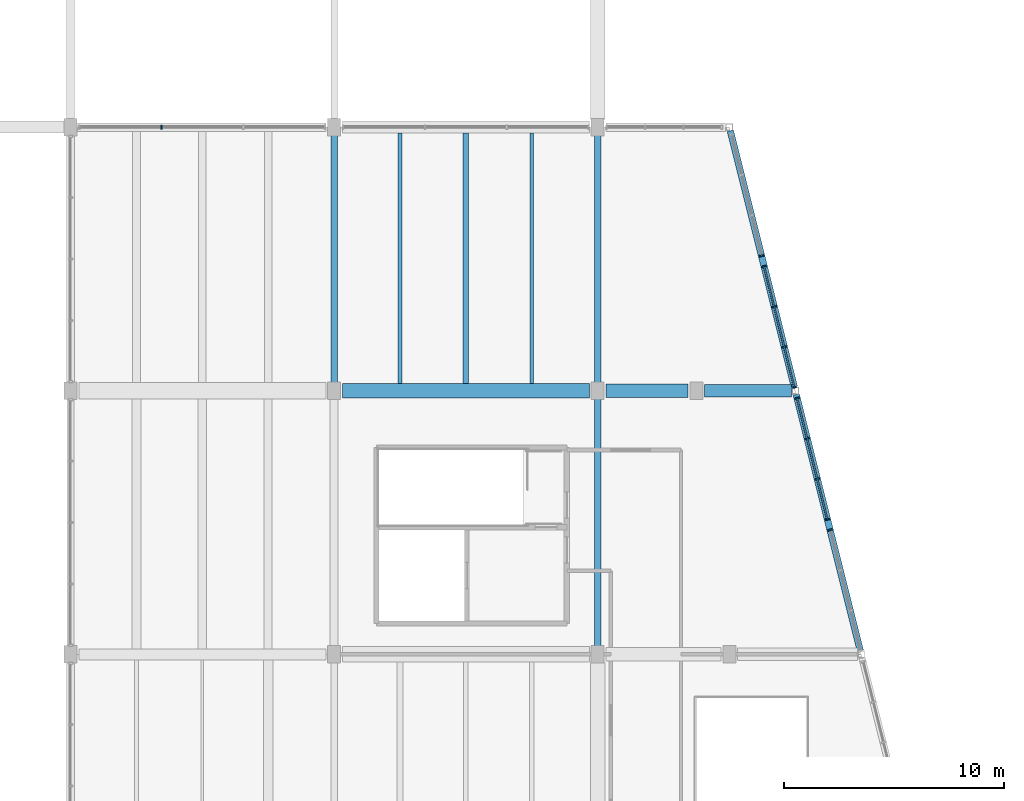
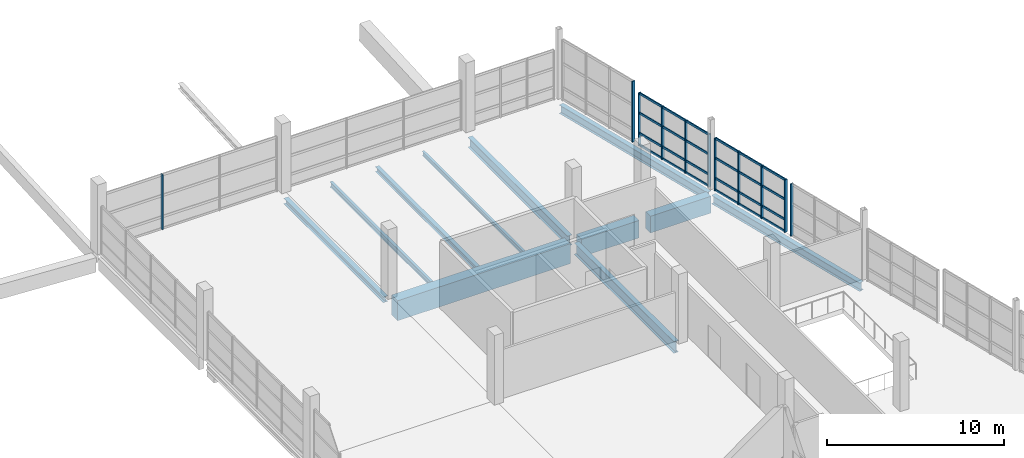
# One storey, part 24 of 49: 19 members, 11 beams, 5 elements without a shape of their own.
"""IFC4 building model written with IfcOpenShell, lengths in metres."""

from ifc_helpers import new_model, si_unit, direction, frame, origin, origin_2d, place, context, subcontext, project, spatial, rectangle, i_section, extrude, material, material_profile, profile_set, type_object, element, aggregate, save


model = new_model("IFC4")

# Units and contexts
model_context = context("Model", 3, precision=1e-05, world=origin(), true_north=direction((0.0, 1.0)))
body_context = subcontext(model_context, "Body", "Model", "MODEL_VIEW")
ifc_project = project(units=[si_unit("LENGTHUNIT", "METRE"), si_unit("AREAUNIT", "SQUARE_METRE"), si_unit("VOLUMEUNIT", "CUBIC_METRE"), si_unit("PLANEANGLEUNIT", "RADIAN"), si_unit("MASSUNIT", "GRAM", prefix="KILO")], contexts=[model_context])

# Site, building, storey
site_placement = place(None, origin())
site = spatial("IfcSite", under=ifc_project, at=site_placement, CompositionType="ELEMENT")
building_placement = place(site_placement, origin())
building = spatial("IfcBuilding", under=site, at=building_placement, Name="Kamomehara Wholesale Market", CompositionType="ELEMENT")
storey_placement = place(building_placement, frame((0.0, 0.0, 11.39990234375)))
storey = spatial("IfcBuildingStorey", under=building, at=storey_placement, Name="L02", CompositionType="ELEMENT", Elevation=11.39990234375)

# Beams
ifc_material_1 = material(Name="Precast concrete Fc45 (C40/50)", Category="concrete")
ifc_material_profile_1 = material_profile(ifc_material_1, rectangle(XDim=0.550048828125, YDim=1.14990234375, at=origin_2d()), Name="PC-GRD-550x1150")
ifc_profile_set_1 = profile_set([ifc_material_profile_1], Name="Precast concrete Fc45 (C40/50)")
beam_type_1 = type_object("IfcBeamType", Name="BM-PG1150", PredefinedType="T_BEAM", material=ifc_profile_set_1)
beam_1_placement = place(storey_placement, frame((184.875, 84.0, -0.927001953125), z_axis=(1.0, 0.0, 0.0), x_axis=(0.0, 1.0, 0.0)))
element("IfcBeam", 1, at=beam_1_placement, inside=storey, type_object=beam_type_1, Name="Beam PG-06 L02", PredefinedType="T_BEAM", context=body_context, shape_type="SweptSolid", body=[
    extrude(rectangle(XDim=0.550048828125, YDim=1.14990234375, at=origin_2d()), origin(), (0.0, 0.0, 1.0), 3.947021484375),
])
ifc_material_2 = material(Name="Precast concrete Fc45 (C40/50)", Category="concrete")
ifc_material_profile_2 = material_profile(ifc_material_2, rectangle(XDim=0.60009765625, YDim=1.199951171875, at=origin_2d()), Name="PC-GRD-600x1200")
ifc_profile_set_2 = profile_set([ifc_material_profile_2], Name="Precast concrete Fc45 (C40/50)")
beam_type_2 = type_object("IfcBeamType", Name="BM-PG1200", PredefinedType="T_BEAM", material=ifc_profile_set_2)
beam_2_placement = place(storey_placement, frame((180.375, 84.0, -0.951904296875), z_axis=(1.0, 0.0, 0.0), x_axis=(0.0, 1.0, 0.0)))
element("IfcBeam", 2, at=beam_2_placement, inside=storey, type_object=beam_type_2, Name="Beam PG-05 L02", PredefinedType="T_BEAM", context=body_context, shape_type="SweptSolid", body=[
    extrude(rectangle(XDim=0.60009765625, YDim=1.199951171875, at=origin_2d()), origin(), (0.0, 0.0, 1.0), 3.75),
])
ifc_material_3 = material(Name="Precast concrete Fc45 (C40/50)", Category="concrete")
ifc_material_profile_3 = material_profile(ifc_material_3, rectangle(XDim=0.679931640625, YDim=1.3798828125, at=origin_2d()), Name="PC-GRD-680x1380")
ifc_profile_set_3 = profile_set([ifc_material_profile_3], Name="Precast concrete Fc45 (C40/50)")
beam_type_3 = type_object("IfcBeamType", Name="BM-PG1380", PredefinedType="T_BEAM", material=ifc_profile_set_3)
beam_3_placement = place(storey_placement, frame((168.375, 84.0, -1.0419921875), z_axis=(1.0, 0.0, 0.0), x_axis=(0.0, 1.0, 0.0)))
element("IfcBeam", 3, at=beam_3_placement, inside=storey, type_object=beam_type_3, Name="Beam PG-12 L02", PredefinedType="T_BEAM", context=body_context, shape_type="SweptSolid", body=[
    extrude(rectangle(XDim=0.679931640625, YDim=1.3798828125, at=origin_2d()), origin(), (0.0, 0.0, 1.0), 11.25),
])
ifc_material_4 = material(Name="Steel SN400B", Category="steel")
ifc_material_profile_4 = material_profile(ifc_material_4, i_section(OverallWidth=0.14990234375, OverallDepth=0.300048828125, WebThickness=0.006591796875, FlangeThickness=0.009033203125, FilletRadius=0.012939453125, at=origin_2d()), Name="H-300x150x6.5x9")
ifc_profile_set_4 = profile_set([ifc_material_profile_4], Name="Steel SN400B")
beam_type_4 = type_object("IfcBeamType", Name="BM-ST-H300", PredefinedType="JOIST", material=ifc_profile_set_4)
beam_4_placement = place(storey_placement, frame((177.0, 84.340087890625, -0.501953125), z_axis=(0.0, 1.0, 0.0), x_axis=(-1.0, 0.0, 0.0)))
element("IfcBeam", 4, at=beam_4_placement, inside=storey, type_object=beam_type_4, Name="Beam SJ-05 L02", PredefinedType="JOIST", context=body_context, shape_type="SweptSolid", body=[
    extrude(i_section(OverallWidth=0.14990234375, OverallDepth=0.300048828125, WebThickness=0.006591796875, FlangeThickness=0.009033203125, FilletRadius=0.012939453125, at=origin_2d()), origin(), (0.0, 0.0, 1.0), 11.385009765625),
])
ifc_material_5 = material(Name="Steel SN490B", Category="steel")
ifc_material_profile_5 = material_profile(ifc_material_5, i_section(OverallWidth=0.25, OverallDepth=0.340087890625, WebThickness=0.009033203125, FlangeThickness=0.013916015625, FilletRadius=0.012939453125, at=origin_2d()), Name="H-340x250x9x14")
ifc_profile_set_5 = profile_set([ifc_material_profile_5], Name="Steel SN490B")
beam_type_5 = type_object("IfcBeamType", Name="BM-ST-H340", PredefinedType="JOIST", material=ifc_profile_set_5)
beam_5_placement = place(storey_placement, frame((174.0, 84.340087890625, -0.52197265625), z_axis=(0.0, 1.0, 0.0), x_axis=(-1.0, 0.0, 0.0)))
element("IfcBeam", 5, at=beam_5_placement, inside=storey, type_object=beam_type_5, Name="Beam SJ-08 L02", PredefinedType="JOIST", context=body_context, shape_type="SweptSolid", body=[
    extrude(i_section(OverallWidth=0.25, OverallDepth=0.340087890625, WebThickness=0.009033203125, FlangeThickness=0.013916015625, FilletRadius=0.012939453125, at=origin_2d()), origin(), (0.0, 0.0, 1.0), 11.385009765625),
])
ifc_material_6 = material(Name="Steel SN400B", Category="steel")
ifc_material_profile_6 = material_profile(ifc_material_6, i_section(OverallWidth=0.175048828125, OverallDepth=0.35009765625, WebThickness=0.007080078125, FlangeThickness=0.010986328125, FilletRadius=0.012939453125, at=origin_2d()), Name="H-350x175x7x11")
ifc_profile_set_6 = profile_set([ifc_material_profile_6], Name="Steel SN400B")
beam_type_6 = type_object("IfcBeamType", Name="BM-ST-H350", PredefinedType="JOIST", material=ifc_profile_set_6)
beam_6_placement = place(storey_placement, frame((171.0, 84.340087890625, -0.52685546875), z_axis=(0.0, 1.0, 0.0), x_axis=(-1.0, 0.0, 0.0)))
element("IfcBeam", 6, at=beam_6_placement, inside=storey, type_object=beam_type_6, Name="Beam SJ-04 L02", PredefinedType="JOIST", context=body_context, shape_type="SweptSolid", body=[
    extrude(i_section(OverallWidth=0.175048828125, OverallDepth=0.35009765625, WebThickness=0.007080078125, FlangeThickness=0.010986328125, FilletRadius=0.012939453125, at=origin_2d()), origin(), (0.0, 0.0, 1.0), 11.385009765625),
])
ifc_material_7 = material(Name="Steel SN490B", Category="steel")
ifc_material_profile_7 = material_profile(ifc_material_7, i_section(OverallWidth=0.300048828125, OverallDepth=0.389892578125, WebThickness=0.010009765625, FlangeThickness=0.01611328125, FilletRadius=0.01806640625, at=origin_2d()), Name="H-390x300x10x16")
ifc_profile_set_7 = profile_set([ifc_material_profile_7], Name="Steel SN490B")
beam_type_7 = type_object("IfcBeamType", Name="BM-ST-H390-EXT", PredefinedType="SPANDREL", material=ifc_profile_set_7)
beam_7_placement = place(storey_placement, frame((168.0, 84.375, -0.546875), z_axis=(0.0, 1.0, 0.0), x_axis=(-1.0, 0.0, 0.0)))
element("IfcBeam", 7, at=beam_7_placement, inside=storey, type_object=beam_type_7, Name="Beam SJ-03E L02", PredefinedType="SPANDREL", context=body_context, shape_type="SweptSolid", body=[
    extrude(i_section(OverallWidth=0.300048828125, OverallDepth=0.389892578125, WebThickness=0.010009765625, FlangeThickness=0.01611328125, FilletRadius=0.01806640625, at=origin_2d()), origin(), (0.0, 0.0, 1.0), 11.25),
])
ifc_material_8 = material(Name="Steel SN490B", Category="steel")
ifc_material_profile_8 = material_profile(ifc_material_8, i_section(OverallWidth=0.300048828125, OverallDepth=0.587890625, WebThickness=0.011962890625, FlangeThickness=0.02001953125, FilletRadius=0.02197265625, at=origin_2d()), Name="H-588x300x12x20")
ifc_profile_set_8 = profile_set([ifc_material_profile_8], Name="Steel SN490B")
beam_type_8 = type_object("IfcBeamType", Name="BM-ST-H588-EXT", PredefinedType="BEAM", material=ifc_profile_set_8)
for number, where, z_axis, x_axis, name in (
    (8, (191.95703125, 72.172119140625, -0.64599609375), (-0.242545187601, 0.970140109454, 0.0), (-0.970140109454, -0.242545187601, 0.0), "Beam SG-06E L02"),
    (9, (188.95703125, 84.172119140625, -0.64599609375), (-0.242545187601, 0.970140109454, 0.0), (-0.970140109454, -0.242545187601, 0.0), "Beam SG-06E L02"),
):
    element("IfcBeam", number, at=place(storey_placement, frame(where, z_axis=z_axis, x_axis=x_axis)), inside=storey, type_object=beam_type_8, Name=name, PredefinedType="BEAM", context=body_context, shape_type="SweptSolid", body=[
        extrude(i_section(OverallWidth=0.300048828125, OverallDepth=0.587890625, WebThickness=0.011962890625, FlangeThickness=0.02001953125, FilletRadius=0.02197265625, at=origin_2d()), origin(), (0.0, 0.0, 1.0), 12.014404296875),
    ])
ifc_material_9 = material(Name="Steel SN490B", Category="steel")
ifc_material_profile_9 = material_profile(ifc_material_9, i_section(OverallWidth=0.300048828125, OverallDepth=0.699951171875, WebThickness=0.012939453125, FlangeThickness=0.02392578125, FilletRadius=0.02197265625, at=origin_2d()), Name="H-700x300x13x24")
ifc_profile_set_9 = profile_set([ifc_material_profile_9], Name="Steel SN490B")
beam_type_9 = type_object("IfcBeamType", Name="BM-ST-H700", PredefinedType="BEAM", material=ifc_profile_set_9)
beam_8_placement = place(storey_placement, frame((180.0, 84.375, -0.701904296875), z_axis=(0.0, 1.0, 0.0), x_axis=(-1.0, 0.0, 0.0)))
element("IfcBeam", 10, at=beam_8_placement, inside=storey, type_object=beam_type_9, Name="Beam SG-03 L02", PredefinedType="BEAM", context=body_context, shape_type="SweptSolid", body=[
    extrude(i_section(OverallWidth=0.300048828125, OverallDepth=0.699951171875, WebThickness=0.012939453125, FlangeThickness=0.02392578125, FilletRadius=0.02197265625, at=origin_2d()), origin(), (0.0, 0.0, 1.0), 11.25),
])
ifc_material_10 = material(Name="Steel SN490B", Category="steel")
ifc_material_profile_10 = material_profile(ifc_material_10, i_section(OverallWidth=0.300048828125, OverallDepth=0.800048828125, WebThickness=0.013916015625, FlangeThickness=0.02587890625, FilletRadius=0.02392578125, at=origin_2d()), Name="H-800x300x14x26")
ifc_profile_set_10 = profile_set([ifc_material_profile_10], Name="Steel SN490B")
beam_type_10 = type_object("IfcBeamType", Name="BM-ST-H800", PredefinedType="BEAM", material=ifc_profile_set_10)
beam_9_placement = place(storey_placement, frame((180.0, 72.375, -0.751953125), z_axis=(0.0, 1.0, 0.0), x_axis=(-1.0, 0.0, 0.0)))
element("IfcBeam", 11, at=beam_9_placement, inside=storey, type_object=beam_type_10, Name="Beam SG-02 L02", PredefinedType="BEAM", context=body_context, shape_type="SweptSolid", body=[
    extrude(i_section(OverallWidth=0.300048828125, OverallDepth=0.800048828125, WebThickness=0.013916015625, FlangeThickness=0.02587890625, FilletRadius=0.02392578125, at=origin_2d()), origin(), (0.0, 0.0, 1.0), 11.25),
])

# Curtain wall, members
ifc_material_11 = material(Name="Anodised aluminium 6063-T5", Category="aluminium")
curtain_wall_type_1 = type_object("IfcCurtainWallType", Name="CW-UN-09", PredefinedType="NOTDEFINED", material=ifc_material_11)
curtain_wall_1_placement = place(storey_placement, origin())
curtain_wall_1 = element("IfcCurtainWall", 12, at=curtain_wall_1_placement, inside=storey, type_object=curtain_wall_type_1, Name="Unitised curtain wall CW-201", PredefinedType="NOTDEFINED")
ifc_material_12 = material(Name="Anodised aluminium 6063-T5", Category="aluminium")
ifc_material_profile_11 = material_profile(ifc_material_12, rectangle(XDim=0.074951171875, YDim=0.179931640625, at=origin_2d()), Name="ALU-MUL-75x180")
ifc_profile_set_11 = profile_set([ifc_material_profile_11], Name="Anodised aluminium 6063-T5")
member_type_1 = type_object("IfcMemberType", Name="CW-MUL-180", PredefinedType="MULLION", material=ifc_profile_set_11)
member_1_placement = place(storey_placement, frame((189.0849609375, 83.659912109375, 0.0), z_axis=(0.0, 0.0, 1.0), x_axis=(0.242617855844, -0.97012193874, 0.0)))
member_1 = element("IfcMember", 13, at=member_1_placement, type_object=member_type_1, Name="Mullion CW-201.0", PredefinedType="MULLION", context=body_context, shape_type="SweptSolid", body=[
    extrude(rectangle(XDim=0.074951171875, YDim=0.179931640625, at=origin_2d()), origin(), (0.0, 0.0, 1.0), 3.630126953125),
])
member_2_placement = place(storey_placement, frame((189.544921875, 81.822021484375, 0.0), z_axis=(0.0, 0.0, 1.0), x_axis=(0.242617855844, -0.97012193874, 0.0)))
member_2 = element("IfcMember", 14, at=member_2_placement, type_object=member_type_1, Name="Mullion CW-201.1", PredefinedType="MULLION", context=body_context, shape_type="SweptSolid", body=[
    extrude(rectangle(XDim=0.074951171875, YDim=0.179931640625, at=origin_2d()), origin(), (0.0, 0.0, 1.0), 3.630126953125),
])
member_3_placement = place(storey_placement, frame((190.00390625, 79.98388671875, 0.0), z_axis=(0.0, 0.0, 1.0), x_axis=(0.242617855844, -0.97012193874, 0.0)))
member_3 = element("IfcMember", 15, at=member_3_placement, type_object=member_type_1, Name="Mullion CW-201.2", PredefinedType="MULLION", context=body_context, shape_type="SweptSolid", body=[
    extrude(rectangle(XDim=0.074951171875, YDim=0.179931640625, at=origin_2d()), origin(), (0.0, 0.0, 1.0), 3.630126953125),
])
member_4_placement = place(storey_placement, frame((190.464111328125, 78.14599609375, 0.0), z_axis=(0.0, 0.0, 1.0), x_axis=(0.242617855844, -0.97012193874, 0.0)))
member_4 = element("IfcMember", 16, at=member_4_placement, type_object=member_type_1, Name="Mullion CW-201.3", PredefinedType="MULLION", context=body_context, shape_type="SweptSolid", body=[
    extrude(rectangle(XDim=0.074951171875, YDim=0.179931640625, at=origin_2d()), origin(), (0.0, 0.0, 1.0), 3.630126953125),
])

# Curtain wall, member
curtain_wall_2_placement = place(storey_placement, origin())
curtain_wall_2 = element("IfcCurtainWall", 17, at=curtain_wall_2_placement, inside=storey, type_object=curtain_wall_type_1, Name="Unitised curtain wall CW-202", PredefinedType="NOTDEFINED")
member_5_placement = place(storey_placement, frame((190.5849609375, 77.659912109375, 0.0), z_axis=(0.0, 0.0, 1.0), x_axis=(0.242494251575, -0.970152842573, 0.0)))
member_5 = element("IfcMember", 18, at=member_5_placement, type_object=member_type_1, Name="Mullion CW-202.0", PredefinedType="MULLION", context=body_context, shape_type="SweptSolid", body=[
    extrude(rectangle(XDim=0.074951171875, YDim=0.179931640625, at=origin_2d()), origin(), (0.0, 0.0, 1.0), 3.60009765625),
])
aggregate(curtain_wall_2, [member_5])

curtain_wall_3_placement = place(storey_placement, origin())
curtain_wall_3 = element("IfcCurtainWall", 19, at=curtain_wall_3_placement, inside=storey, type_object=curtain_wall_type_1, Name="Unitised curtain wall CW-203", PredefinedType="NOTDEFINED")
member_6_placement = place(storey_placement, frame((187.464111328125, 90.14599609375, 0.0), z_axis=(0.0, 0.0, 1.0), x_axis=(0.242617855844, -0.97012193874, 0.0)))
member_6 = element("IfcMember", 20, at=member_6_placement, type_object=member_type_1, Name="Mullion CW-203.3", PredefinedType="MULLION", context=body_context, shape_type="SweptSolid", body=[
    extrude(rectangle(XDim=0.074951171875, YDim=0.179931640625, at=origin_2d()), origin(), (0.0, 0.0, 1.0), 4.192138671875),
])
aggregate(curtain_wall_3, [member_6])

# Curtain wall, members
curtain_wall_4_placement = place(storey_placement, origin())
curtain_wall_4 = element("IfcCurtainWall", 21, at=curtain_wall_4_placement, inside=storey, type_object=curtain_wall_type_1, Name="Unitised curtain wall CW-204", PredefinedType="NOTDEFINED")
member_7_placement = place(storey_placement, frame((187.5849609375, 89.659912109375, 0.0), z_axis=(0.0, 0.0, 1.0), x_axis=(0.242494251575, -0.970152842573, 0.0)))
member_7 = element("IfcMember", 22, at=member_7_placement, type_object=member_type_1, Name="Mullion CW-204.0", PredefinedType="MULLION", context=body_context, shape_type="SweptSolid", body=[
    extrude(rectangle(XDim=0.074951171875, YDim=0.179931640625, at=origin_2d()), origin(), (0.0, 0.0, 1.0), 3.630126953125),
])
member_8_placement = place(storey_placement, frame((188.0439453125, 87.824951171875, 0.0), z_axis=(0.0, 0.0, 1.0), x_axis=(0.242494251575, -0.970152842573, 0.0)))
member_8 = element("IfcMember", 23, at=member_8_placement, type_object=member_type_1, Name="Mullion CW-204.1", PredefinedType="MULLION", context=body_context, shape_type="SweptSolid", body=[
    extrude(rectangle(XDim=0.074951171875, YDim=0.179931640625, at=origin_2d()), origin(), (0.0, 0.0, 1.0), 3.630126953125),
])
member_9_placement = place(storey_placement, frame((188.501953125, 85.989990234375, 0.0), z_axis=(0.0, 0.0, 1.0), x_axis=(0.242494251575, -0.970152842573, 0.0)))
member_9 = element("IfcMember", 24, at=member_9_placement, type_object=member_type_1, Name="Mullion CW-204.2", PredefinedType="MULLION", context=body_context, shape_type="SweptSolid", body=[
    extrude(rectangle(XDim=0.074951171875, YDim=0.179931640625, at=origin_2d()), origin(), (0.0, 0.0, 1.0), 3.630126953125),
])
member_10_placement = place(storey_placement, frame((188.9609375, 84.155029296875, 0.0), z_axis=(0.0, 0.0, 1.0), x_axis=(0.242494251575, -0.970152842573, 0.0)))
member_10 = element("IfcMember", 25, at=member_10_placement, type_object=member_type_1, Name="Mullion CW-204.3", PredefinedType="MULLION", context=body_context, shape_type="SweptSolid", body=[
    extrude(rectangle(XDim=0.074951171875, YDim=0.179931640625, at=origin_2d()), origin(), (0.0, 0.0, 1.0), 3.630126953125),
])

# Curtain wall, member
ifc_material_13 = material(Name="Anodised aluminium 6063-T5", Category="aluminium")
curtain_wall_type_2 = type_object("IfcCurtainWallType", Name="CW-UN-08", PredefinedType="NOTDEFINED", material=ifc_material_13)
curtain_wall_5_placement = place(storey_placement, origin())
curtain_wall_5 = element("IfcCurtainWall", 26, at=curtain_wall_5_placement, inside=storey, type_object=curtain_wall_type_2, Name="Unitised curtain wall CW-205", PredefinedType="NOTDEFINED")
member_11_placement = place(storey_placement, frame((160.136962890625, 96.0, 0.0), z_axis=(0.0, 0.0, 1.0), x_axis=(1.0, 0.0, 0.0)))
member_11 = element("IfcMember", 27, at=member_11_placement, type_object=member_type_1, Name="Mullion CW-205.1", PredefinedType="MULLION", context=body_context, shape_type="SweptSolid", body=[
    extrude(rectangle(XDim=0.074951171875, YDim=0.179931640625, at=origin_2d()), origin(), (0.0, 0.0, 1.0), 3.780029296875),
])
aggregate(curtain_wall_5, [member_11])

# Member
ifc_material_14 = material(Name="Anodised aluminium 6063-T5", Category="aluminium")
ifc_material_profile_12 = material_profile(ifc_material_14, rectangle(XDim=0.074951171875, YDim=0.14990234375, at=origin_2d()), Name="ALU-TRN-75x150")
ifc_profile_set_12 = profile_set([ifc_material_profile_12], Name="Anodised aluminium 6063-T5")
member_type_2 = type_object("IfcMemberType", Name="CW-TRN-150", PredefinedType="USERDEFINED", material=ifc_profile_set_12)
member_12_placement = place(storey_placement, frame((189.0849609375, 83.659912109375, 0.0400390625), z_axis=(0.242646798343, -0.97011470005, 0.0), x_axis=(0.97011470005, 0.242646798343, 0.0)))
member_12 = element("IfcMember", 28, at=member_12_placement, type_object=member_type_2, Name="Transom CW-201.0", ObjectType="TRANSOM", PredefinedType="USERDEFINED", context=body_context, shape_type="SweptSolid", body=[
    extrude(rectangle(XDim=0.074951171875, YDim=0.14990234375, at=origin_2d()), origin(), (0.0, 0.0, 1.0), 5.683837890625),
])

member_13_placement = place(storey_placement, frame((189.0849609375, 83.659912109375, 0.85009765625), z_axis=(0.242646798343, -0.97011470005, 0.0), x_axis=(0.97011470005, 0.242646798343, 0.0)))
member_13 = element("IfcMember", 29, at=member_13_placement, type_object=member_type_2, Name="Transom CW-201.1", ObjectType="TRANSOM", PredefinedType="USERDEFINED", context=body_context, shape_type="SweptSolid", body=[
    extrude(rectangle(XDim=0.074951171875, YDim=0.14990234375, at=origin_2d()), origin(), (0.0, 0.0, 1.0), 5.683837890625),
])

member_14_placement = place(storey_placement, frame((189.0849609375, 83.659912109375, 2.239990234375), z_axis=(0.242646798343, -0.97011470005, 0.0), x_axis=(0.97011470005, 0.242646798343, 0.0)))
member_14 = element("IfcMember", 30, at=member_14_placement, type_object=member_type_2, Name="Transom CW-201.2", ObjectType="TRANSOM", PredefinedType="USERDEFINED", context=body_context, shape_type="SweptSolid", body=[
    extrude(rectangle(XDim=0.074951171875, YDim=0.14990234375, at=origin_2d()), origin(), (0.0, 0.0, 1.0), 5.683837890625),
])

member_15_placement = place(storey_placement, frame((189.0849609375, 83.659912109375, 3.590087890625), z_axis=(0.242646798343, -0.97011470005, 0.0), x_axis=(0.97011470005, 0.242646798343, 0.0)))
member_15 = element("IfcMember", 31, at=member_15_placement, type_object=member_type_2, Name="Transom CW-201.3", ObjectType="TRANSOM", PredefinedType="USERDEFINED", context=body_context, shape_type="SweptSolid", body=[
    extrude(rectangle(XDim=0.074951171875, YDim=0.14990234375, at=origin_2d()), origin(), (0.0, 0.0, 1.0), 5.683837890625),
])

aggregate(curtain_wall_1, [member_1, member_2, member_3, member_4, member_12, member_13, member_14, member_15])

member_16_placement = place(storey_placement, frame((187.5849609375, 89.659912109375, 0.0400390625), z_axis=(0.242495129667, -0.97015262309, 0.0), x_axis=(0.97015262309, 0.242495129667, 0.0)))
member_16 = element("IfcMember", 32, at=member_16_placement, type_object=member_type_2, Name="Transom CW-204.0", ObjectType="TRANSOM", PredefinedType="USERDEFINED", context=body_context, shape_type="SweptSolid", body=[
    extrude(rectangle(XDim=0.074951171875, YDim=0.14990234375, at=origin_2d()), origin(), (0.0, 0.0, 1.0), 5.67431640625),
])

member_17_placement = place(storey_placement, frame((187.5849609375, 89.659912109375, 0.85009765625), z_axis=(0.242495129667, -0.97015262309, 0.0), x_axis=(0.97015262309, 0.242495129667, 0.0)))
member_17 = element("IfcMember", 33, at=member_17_placement, type_object=member_type_2, Name="Transom CW-204.1", ObjectType="TRANSOM", PredefinedType="USERDEFINED", context=body_context, shape_type="SweptSolid", body=[
    extrude(rectangle(XDim=0.074951171875, YDim=0.14990234375, at=origin_2d()), origin(), (0.0, 0.0, 1.0), 5.67431640625),
])

member_18_placement = place(storey_placement, frame((187.5849609375, 89.659912109375, 2.239990234375), z_axis=(0.242495129667, -0.97015262309, 0.0), x_axis=(0.97015262309, 0.242495129667, 0.0)))
member_18 = element("IfcMember", 34, at=member_18_placement, type_object=member_type_2, Name="Transom CW-204.2", ObjectType="TRANSOM", PredefinedType="USERDEFINED", context=body_context, shape_type="SweptSolid", body=[
    extrude(rectangle(XDim=0.074951171875, YDim=0.14990234375, at=origin_2d()), origin(), (0.0, 0.0, 1.0), 5.67431640625),
])

member_19_placement = place(storey_placement, frame((187.5849609375, 89.659912109375, 3.590087890625), z_axis=(0.242495129667, -0.97015262309, 0.0), x_axis=(0.97015262309, 0.242495129667, 0.0)))
member_19 = element("IfcMember", 35, at=member_19_placement, type_object=member_type_2, Name="Transom CW-204.3", ObjectType="TRANSOM", PredefinedType="USERDEFINED", context=body_context, shape_type="SweptSolid", body=[
    extrude(rectangle(XDim=0.074951171875, YDim=0.14990234375, at=origin_2d()), origin(), (0.0, 0.0, 1.0), 5.67431640625),
])

aggregate(curtain_wall_4, [member_7, member_8, member_9, member_10, member_16, member_17, member_18, member_19])

save(model, "model.ifc")
